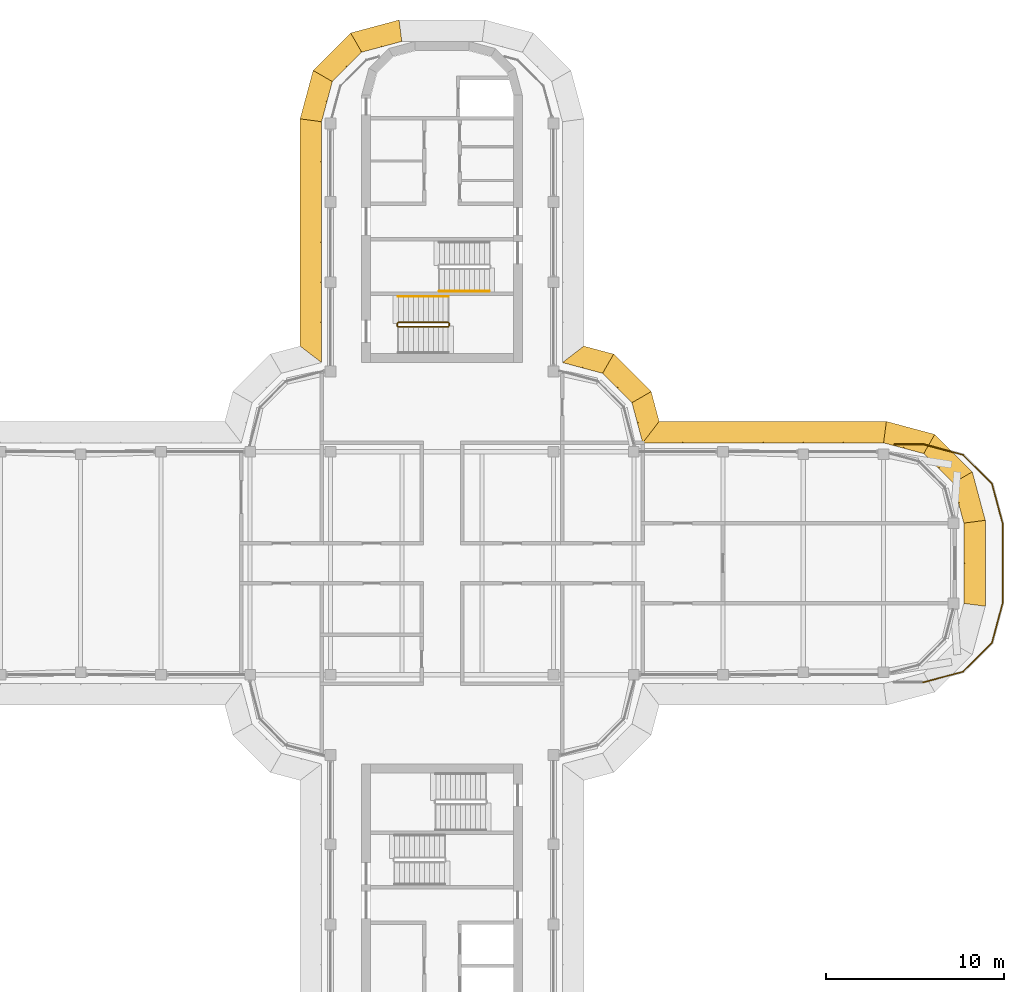
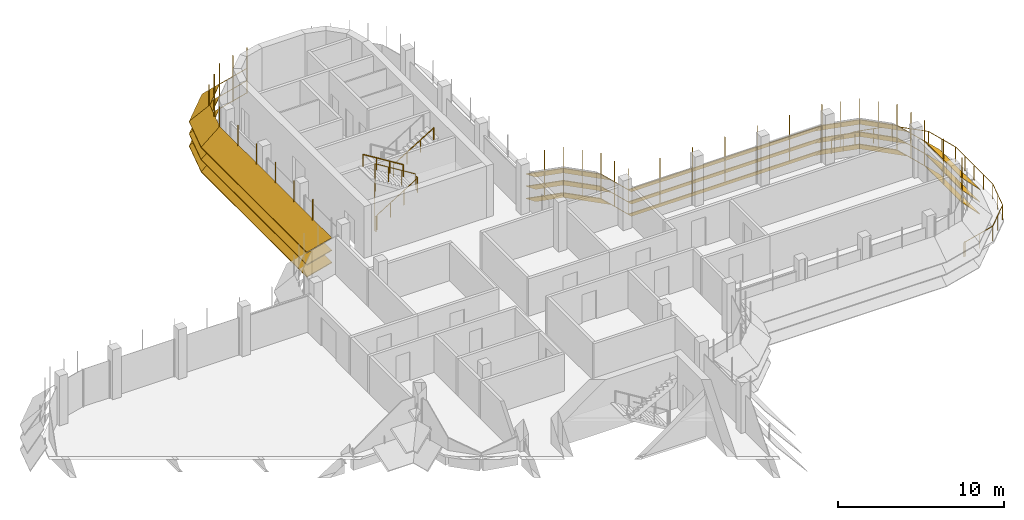
# One storey, part 19 of 20: 6 shading devices, 4 railings.
"""IFC4 building model written with IfcOpenShell, lengths in metres."""

from ifc_helpers import new_model, si_unit, direction, frame, origin, origin_2d, place, context, subcontext, project, spatial, polyline, circle, outline, extrude, faceted_brep, source, transform, mapped, material, type_object, element, save


model = new_model("IFC4")

# Units and contexts
model_context = context("Model", 3, precision=1e-05, world=origin(), true_north=direction((0.0, 1.0)))
body_context = subcontext(model_context, "Body", "Model", "MODEL_VIEW")
ifc_project = project(units=[si_unit("LENGTHUNIT", "METRE"), si_unit("AREAUNIT", "SQUARE_METRE"), si_unit("VOLUMEUNIT", "CUBIC_METRE"), si_unit("PLANEANGLEUNIT", "RADIAN"), si_unit("MASSUNIT", "GRAM", prefix="KILO")], contexts=[model_context])

# Site, building, storey
site_placement = place(None, origin())
site = spatial("IfcSite", under=ifc_project, at=site_placement, CompositionType="ELEMENT")
building_placement = place(site_placement, origin())
building = spatial("IfcBuilding", under=site, at=building_placement, Name="Zarbagh Exchange Tower", CompositionType="ELEMENT")
storey_placement = place(building_placement, frame((0.0, 0.0, 249.800048828125)))
storey = spatial("IfcBuildingStorey", under=building, at=storey_placement, Name="L61", CompositionType="ELEMENT", Elevation=249.800048828125)

# Railings
ifc_material_1 = material(Name="Stainless steel", Category="steel")
railing_type_1 = type_object("IfcRailingType", Name="Stair guard 1100 mm", PredefinedType="GUARDRAIL", material=ifc_material_1)
railing_1_placement = place(storey_placement, frame((0.35009765625, 13.5, 2.07275390625)))
element("IfcRailing", 1, at=railing_1_placement, inside=storey, type_object=railing_type_1, Name="ST2 stair guard 1", PredefinedType="GUARDRAIL", context=body_context, shape_type="SweptSolid", body=[
    extrude(circle(Radius=0.02392578125, at=origin_2d()), frame((0.0, 0.0, 1.076171875), z_axis=(-0.851089632645, 0.0, 0.525020415988), x_axis=(0.0, -1.0, 0.0)), (0.0, 0.0, 1.0), 3.2900390625),
    extrude(circle(Radius=0.02392578125, at=origin_2d()), frame((-2.800048828125, 0.0, 2.80322265625), z_axis=(-0.013168290981, -0.013168290981, -0.999826581076), x_axis=(0.707106781187, -0.707106781187, 0.0)), (0.0, 0.0, 1.0), 3.80078125),
    extrude(circle(Radius=0.02392578125, at=origin_2d()), frame((-2.85009765625, -0.050048828125, -0.99658203125), z_axis=(0.0, -1.0, 0.0), x_axis=(1.0, 0.0, 0.0)), (0.0, 0.0, 1.0), 0.14990234375),
    extrude(circle(Radius=0.02392578125, at=origin_2d()), frame((-2.85009765625, -0.199951171875, -0.99658203125), z_axis=(0.268277960024, -0.268277960024, 0.925231793839), x_axis=(0.707106781187, 0.707106781187, 0.0)), (0.0, 0.0, 1.0), 0.1865234375),
    extrude(circle(Radius=0.02392578125, at=origin_2d()), frame((-2.800048828125, -0.25, -0.82421875), z_axis=(0.851089632645, 0.0, 0.525020415988), x_axis=(0.0, 1.0, 0.0)), (0.0, 0.0, 1.0), 3.2900390625),
    extrude(circle(Radius=0.02392578125, at=origin_2d()), frame((0.0, -0.25, 0.9033203125), z_axis=(0.705375805398, 0.708833529934, 0.0), x_axis=(-0.708833529934, 0.705375805398, 0.0)), (0.0, 0.0, 1.0), 0.070556640625),
    extrude(circle(Radius=0.02392578125, at=origin_2d()), frame((0.0498046875, -0.199951171875, 0.9033203125), z_axis=(0.0, 1.0, 0.0), x_axis=(-1.0, 0.0, 0.0)), (0.0, 0.0, 1.0), 0.14990234375),
    extrude(circle(Radius=0.02099609375, at=origin_2d()), origin(), (0.0, 0.0, 1.0), 1.052001953125),
    extrude(circle(Radius=0.02099609375, at=origin_2d()), frame((-0.933349609375, 0.0, 0.57568359375)), (0.0, 0.0, 1.0), 1.052001953125),
    extrude(circle(Radius=0.02099609375, at=origin_2d()), frame((-1.86669921875, 0.0, 1.151611328125)), (0.0, 0.0, 1.0), 1.052001953125),
    extrude(circle(Radius=0.02099609375, at=origin_2d()), frame((-2.800048828125, 0.0, 1.727294921875)), (0.0, 0.0, 1.0), 1.052001953125),
    extrude(circle(Radius=0.02099609375, at=origin_2d()), frame((-2.8125, -0.012451171875, 0.77734375)), (0.0, 0.0, 1.0), 1.052001953125),
    extrude(circle(Radius=0.02099609375, at=origin_2d()), frame((-2.8251953125, -0.02490234375, -0.1728515625)), (0.0, 0.0, 1.0), 1.052001953125),
    extrude(circle(Radius=0.02099609375, at=origin_2d()), frame((-2.837646484375, -0.03759765625, -1.122802734375)), (0.0, 0.0, 1.0), 1.052001953125),
    extrude(circle(Radius=0.02099609375, at=origin_2d()), frame((-2.85009765625, -0.050048828125, -2.07275390625)), (0.0, 0.0, 1.0), 1.052001953125),
    extrude(circle(Radius=0.02099609375, at=origin_2d()), frame((-2.85009765625, -0.199951171875, -2.07275390625)), (0.0, 0.0, 1.0), 1.052001953125),
    extrude(circle(Radius=0.02099609375, at=origin_2d()), frame((-2.800048828125, -0.25, -1.900146484375)), (0.0, 0.0, 1.0), 1.052001953125),
    extrude(circle(Radius=0.02099609375, at=origin_2d()), frame((-1.86669921875, -0.25, -1.324462890625)), (0.0, 0.0, 1.0), 1.052001953125),
    extrude(circle(Radius=0.02099609375, at=origin_2d()), frame((-0.933349609375, -0.25, -0.74853515625)), (0.0, 0.0, 1.0), 1.052001953125),
    extrude(circle(Radius=0.02099609375, at=origin_2d()), frame((0.0, -0.25, -0.1728515625)), (0.0, 0.0, 1.0), 1.052001953125),
    extrude(circle(Radius=0.02099609375, at=origin_2d()), frame((0.0498046875, -0.199951171875, -0.1728515625)), (0.0, 0.0, 1.0), 1.052001953125),
    extrude(circle(Radius=0.02099609375, at=origin_2d()), frame((0.0498046875, -0.050048828125, -0.1728515625)), (0.0, 0.0, 1.0), 1.052001953125),
])
railing_type_2 = type_object("IfcRailingType", Name="Stair handrail 900 mm", PredefinedType="HANDRAIL", material=ifc_material_1)
railing_2_placement = place(storey_placement, frame((-0.14990234375, 15.25, 2.07275390625)))
element("IfcRailing", 2, at=railing_2_placement, inside=storey, type_object=railing_type_2, Name="ST1 stair handrail 2", PredefinedType="HANDRAIL", context=body_context, shape_type="SweptSolid", body=[
    extrude(circle(Radius=0.02392578125, at=origin_2d()), frame((0.0, 0.0, 0.8759765625), z_axis=(0.851069175582, 0.0, 0.525053576669), x_axis=(0.0, 1.0, 0.0)), (0.0, 0.0, 1.0), 3.289794921875),
    extrude(circle(Radius=0.02099609375, at=origin_2d()), origin(), (0.0, 0.0, 1.0), 0.851806640625),
    extrude(circle(Radius=0.02099609375, at=origin_2d()), frame((0.933349609375, 0.0, 0.57568359375)), (0.0, 0.0, 1.0), 0.851806640625),
    extrude(circle(Radius=0.02099609375, at=origin_2d()), frame((1.866455078125, 0.0, 1.151611328125)), (0.0, 0.0, 1.0), 0.851806640625),
    extrude(circle(Radius=0.02099609375, at=origin_2d()), frame((2.7998046875, 0.0, 1.727294921875)), (0.0, 0.0, 1.0), 0.851806640625),
])
railing_3_placement = place(storey_placement, frame((0.35009765625, 14.949951171875, 2.07275390625)))
element("IfcRailing", 3, at=railing_3_placement, inside=storey, type_object=railing_type_2, Name="ST2 stair handrail 2", PredefinedType="HANDRAIL", context=body_context, shape_type="SweptSolid", body=[
    extrude(circle(Radius=0.02392578125, at=origin_2d()), frame((0.0, 0.0, 0.8759765625), z_axis=(-0.851089632645, 0.0, 0.525020415988), x_axis=(0.0, -1.0, 0.0)), (0.0, 0.0, 1.0), 3.2900390625),
    extrude(circle(Radius=0.02099609375, at=origin_2d()), origin(), (0.0, 0.0, 1.0), 0.851806640625),
    extrude(circle(Radius=0.02099609375, at=origin_2d()), frame((-0.933349609375, 0.0, 0.57568359375)), (0.0, 0.0, 1.0), 0.851806640625),
    extrude(circle(Radius=0.02099609375, at=origin_2d()), frame((-1.86669921875, 0.0, 1.151611328125)), (0.0, 0.0, 1.0), 0.851806640625),
    extrude(circle(Radius=0.02099609375, at=origin_2d()), frame((-2.800048828125, 0.0, 1.727294921875)), (0.0, 0.0, 1.0), 0.851806640625),
])
ifc_material_2 = material(Name="Stainless steel and laminated glass", Category="steel")
railing_type_3 = type_object("IfcRailingType", Name="Terrace guard, glass balustrade 1.1 m", PredefinedType="GUARDRAIL", material=ifc_material_2)
railing_4_placement = place(storey_placement, frame((25.357666015625, 6.669921875, 0.0)))
element("IfcRailing", 4, at=railing_4_placement, inside=storey, type_object=railing_type_3, Name="TG01 terrace guard", PredefinedType="GUARDRAIL", context=body_context, shape_type="SweptSolid", body=[
    extrude(circle(Radius=0.02490234375, at=origin_2d()), frame((0.0, 0.0, 1.0751953125), z_axis=(1.0, 0.0, 0.0), x_axis=(0.0, 1.0, 0.0)), (0.0, 0.0, 1.0), 1.6318359375),
    extrude(circle(Radius=0.02490234375, at=origin_2d()), frame((1.6318359375, 0.0, 1.0751953125), z_axis=(0.965936192935, -0.258780353152, 0.0), x_axis=(0.258780353152, 0.965936192935, 0.0)), (0.0, 0.0, 1.0), 2.29736328125),
    extrude(circle(Radius=0.02490234375, at=origin_2d()), frame((3.850830078125, -0.594482421875, 1.0751953125), z_axis=(0.707106781187, -0.707106781187, 0.0), x_axis=(0.707106781187, 0.707106781187, 0.0)), (0.0, 0.0, 1.0), 2.28662109375),
    extrude(circle(Radius=0.02490234375, at=origin_2d()), frame((5.4677734375, -2.21142578125, 1.0751953125), z_axis=(0.258780353152, -0.965936192935, 0.0), x_axis=(0.965936192935, 0.258780353152, 0.0)), (0.0, 0.0, 1.0), 2.29736328125),
    extrude(circle(Radius=0.02490234375, at=origin_2d()), frame((6.062255859375, -4.430419921875, 1.0751953125), z_axis=(0.0, -1.0, 0.0), x_axis=(1.0, 0.0, 0.0)), (0.0, 0.0, 1.0), 4.47900390625),
    extrude(circle(Radius=0.02490234375, at=origin_2d()), frame((6.062255859375, -8.909423828125, 1.0751953125), z_axis=(-0.258780353152, -0.965936192935, 0.0), x_axis=(0.965936192935, -0.258780353152, 0.0)), (0.0, 0.0, 1.0), 2.29736328125),
    extrude(circle(Radius=0.02490234375, at=origin_2d()), frame((5.4677734375, -11.12841796875, 1.0751953125), z_axis=(-0.707106781187, -0.707106781187, 0.0), x_axis=(0.707106781187, -0.707106781187, 0.0)), (0.0, 0.0, 1.0), 2.28662109375),
    extrude(circle(Radius=0.02490234375, at=origin_2d()), frame((3.850830078125, -12.745361328125, 1.0751953125), z_axis=(-0.965936192935, -0.258780353152, 0.0), x_axis=(0.258780353152, -0.965936192935, 0.0)), (0.0, 0.0, 1.0), 2.29736328125),
    extrude(circle(Radius=0.02490234375, at=origin_2d()), frame((1.6318359375, -13.33984375, 1.0751953125), z_axis=(-1.0, 0.0, 0.0), x_axis=(0.0, -1.0, 0.0)), (0.0, 0.0, 1.0), 0.126708984375),
    extrude(circle(Radius=0.02490234375, at=origin_2d()), origin(), (0.0, 0.0, 1.0), 1.050048828125),
    extrude(circle(Radius=0.02490234375, at=origin_2d()), frame((0.81591796875, 0.0, 0.0)), (0.0, 0.0, 1.0), 1.050048828125),
    extrude(circle(Radius=0.02490234375, at=origin_2d()), frame((1.6318359375, 0.0, 0.0)), (0.0, 0.0, 1.0), 1.050048828125),
    extrude(circle(Radius=0.02490234375, at=origin_2d()), frame((2.7412109375, -0.29736328125, 0.0)), (0.0, 0.0, 1.0), 1.050048828125),
    extrude(circle(Radius=0.02490234375, at=origin_2d()), frame((3.850830078125, -0.594482421875, 0.0)), (0.0, 0.0, 1.0), 1.050048828125),
    extrude(circle(Radius=0.02490234375, at=origin_2d()), frame((4.6591796875, -1.40283203125, 0.0)), (0.0, 0.0, 1.0), 1.050048828125),
    extrude(circle(Radius=0.02490234375, at=origin_2d()), frame((5.4677734375, -2.21142578125, 0.0)), (0.0, 0.0, 1.0), 1.050048828125),
    extrude(circle(Radius=0.02490234375, at=origin_2d()), frame((5.76513671875, -3.32080078125, 0.0)), (0.0, 0.0, 1.0), 1.050048828125),
    extrude(circle(Radius=0.02490234375, at=origin_2d()), frame((6.062255859375, -4.430419921875, 0.0)), (0.0, 0.0, 1.0), 1.050048828125),
    extrude(circle(Radius=0.02490234375, at=origin_2d()), frame((6.062255859375, -5.55029296875, 0.0)), (0.0, 0.0, 1.0), 1.050048828125),
    extrude(circle(Radius=0.02490234375, at=origin_2d()), frame((6.062255859375, -6.669921875, 0.0)), (0.0, 0.0, 1.0), 1.050048828125),
    extrude(circle(Radius=0.02490234375, at=origin_2d()), frame((6.062255859375, -7.78955078125, 0.0)), (0.0, 0.0, 1.0), 1.050048828125),
    extrude(circle(Radius=0.02490234375, at=origin_2d()), frame((6.062255859375, -8.909423828125, 0.0)), (0.0, 0.0, 1.0), 1.050048828125),
    extrude(circle(Radius=0.02490234375, at=origin_2d()), frame((5.76513671875, -10.01904296875, 0.0)), (0.0, 0.0, 1.0), 1.050048828125),
    extrude(circle(Radius=0.02490234375, at=origin_2d()), frame((5.4677734375, -11.12841796875, 0.0)), (0.0, 0.0, 1.0), 1.050048828125),
    extrude(circle(Radius=0.02490234375, at=origin_2d()), frame((4.6591796875, -11.93701171875, 0.0)), (0.0, 0.0, 1.0), 1.050048828125),
    extrude(circle(Radius=0.02490234375, at=origin_2d()), frame((3.850830078125, -12.745361328125, 0.0)), (0.0, 0.0, 1.0), 1.050048828125),
    extrude(circle(Radius=0.02490234375, at=origin_2d()), frame((2.7412109375, -13.04248046875, 0.0)), (0.0, 0.0, 1.0), 1.050048828125),
    extrude(circle(Radius=0.02490234375, at=origin_2d()), frame((1.6318359375, -13.33984375, 0.0)), (0.0, 0.0, 1.0), 1.050048828125),
    extrude(circle(Radius=0.02490234375, at=origin_2d()), frame((1.505126953125, -13.33984375, 0.0)), (0.0, 0.0, 1.0), 1.050048828125),
])

# Shading devices
ifc_material_3 = material(Name="Anodised aluminium blades and brackets", Category="aluminium")
shading_device_type = type_object("IfcShadingDeviceType", Name="SUNSHADE louvre band, 45 degree blades", PredefinedType="JALOUSIE", material=ifc_material_3)
shared_shape_1 = source(origin(), body_context, "Body", "Brep", [
    faceted_brep([(0.0, 0.0, 0.0), (0.0, 0.0, -0.056640625), (-0.157958984375, -1.199951171875, -1.256591796875), (-0.157958984375, -1.199951171875, -1.199951171875), (2.65087890625, -1.199951171875, -1.199951171875), (2.65087890625, -1.199951171875, -1.256591796875), (2.329345703125, 0.0, -0.056640625), (2.329345703125, 0.0, 0.0)], [[[0, 1, 2, 3]], [[4, 5, 6, 7]], [[0, 7, 6, 1]], [[1, 6, 5, 2]], [[2, 5, 4, 3]], [[3, 4, 7, 0]]]),
])
shared_shape_2 = source(origin(), body_context, "Body", "Brep", [
    faceted_brep([(0.0, 0.0, 0.0), (0.0, 0.0, -0.056640625), (-0.321533203125, -1.199951171875, -1.256591796875), (-0.321533203125, -1.199951171875, -1.199951171875), (2.65087890625, -1.199951171875, -1.199951171875), (2.65087890625, -1.199951171875, -1.256591796875), (2.329345703125, 0.0, -0.056640625), (2.329345703125, 0.0, 0.0)], [[[0, 1, 2, 3]], [[4, 5, 6, 7]], [[0, 7, 6, 1]], [[1, 6, 5, 2]], [[2, 5, 4, 3]], [[3, 4, 7, 0]]]),
])
shared_shape_3 = source(origin(), body_context, "Body", "Brep", [
    faceted_brep([(0.0, 0.0, 0.0), (0.0, 0.0, -0.056640625), (-0.321533203125, -1.199951171875, -1.256591796875), (-0.321533203125, -1.199951171875, -1.199951171875), (2.4873046875, -1.199951171875, -1.199951171875), (2.4873046875, -1.199951171875, -1.256591796875), (2.329345703125, 0.0, -0.056640625), (2.329345703125, 0.0, 0.0)], [[[0, 1, 2, 3]], [[4, 5, 6, 7]], [[0, 7, 6, 1]], [[1, 6, 5, 2]], [[2, 5, 4, 3]], [[3, 4, 7, 0]]]),
])
shared_shape_4 = source(origin(), body_context, "Body", "SweptSolid", [
    extrude(outline(polyline([(0.0, -0.012451171875), (0.06005859375, -0.012451171875), (0.06005859375, 0.012451171875), (0.0, 0.012451171875), (0.0, -0.012451171875)])), origin(), (0.0, 0.0, 1.0), 3.366455078125),
])
placement = place(storey_placement, origin())
element("IfcShadingDevice", 5, at=placement, inside=storey, type_object=shading_device_type, Name="SS53 sunshade band", PredefinedType="JALOUSIE", context=body_context, shape_type="MappedRepresentation", body=[
    mapped(shared_shape_1, transform((29.25, 2.25, 2.300048828125), x_axis=(-0.258824779902, 0.965924289636, 0.0), y_axis=(-0.965924289636, -0.258824779902, 0.0), z_axis=(0.0, 0.0, 1.0))),
    mapped(shared_shape_1, transform((29.25, 2.25, 1.39990234375), x_axis=(-0.258824779902, 0.965924289636, 0.0), y_axis=(-0.965924289636, -0.258824779902, 0.0), z_axis=(0.0, 0.0, 1.0))),
    mapped(shared_shape_1, transform((29.25, 2.25, 0.5), x_axis=(-0.258824779902, 0.965924289636, 0.0), y_axis=(-0.965924289636, -0.258824779902, 0.0), z_axis=(0.0, 0.0, 1.0))),
    mapped(shared_shape_2, transform((28.647216796875, 4.5, 2.300048828125), x_axis=(-0.707106781187, 0.707106781187, 0.0), y_axis=(-0.707106781187, -0.707106781187, 0.0), z_axis=(0.0, 0.0, 1.0))),
    mapped(shared_shape_2, transform((28.647216796875, 4.5, 1.39990234375), x_axis=(-0.707106781187, 0.707106781187, 0.0), y_axis=(-0.707106781187, -0.707106781187, 0.0), z_axis=(0.0, 0.0, 1.0))),
    mapped(shared_shape_2, transform((28.647216796875, 4.5, 0.5), x_axis=(-0.707106781187, 0.707106781187, 0.0), y_axis=(-0.707106781187, -0.707106781187, 0.0), z_axis=(0.0, 0.0, 1.0))),
    mapped(shared_shape_3, transform((27.0, 6.147216796875, 2.300048828125), x_axis=(-0.965924289636, 0.258824779902, 0.0), y_axis=(-0.258824779902, -0.965924289636, 0.0), z_axis=(0.0, 0.0, 1.0))),
    mapped(shared_shape_3, transform((27.0, 6.147216796875, 1.39990234375), x_axis=(-0.965924289636, 0.258824779902, 0.0), y_axis=(-0.258824779902, -0.965924289636, 0.0), z_axis=(0.0, 0.0, 1.0))),
    mapped(shared_shape_3, transform((27.0, 6.147216796875, 0.5), x_axis=(-0.965924289636, 0.258824779902, 0.0), y_axis=(-0.258824779902, -0.965924289636, 0.0), z_axis=(0.0, 0.0, 1.0))),
    mapped(shared_shape_4, transform((29.25, 2.25, 0.413330078125), x_axis=(0.991444457092, 0.130529263012, 0.0), y_axis=(-0.130529263012, 0.991444457092, 0.0), z_axis=(0.0, 0.0, 1.0))),
    mapped(shared_shape_4, transform((28.948486328125, 3.375, 0.413330078125), x_axis=(0.96592421511, 0.258825058029, 0.0), y_axis=(-0.258825058029, 0.96592421511, 0.0), z_axis=(0.0, 0.0, 1.0))),
    mapped(shared_shape_4, transform((28.647216796875, 4.5, 0.413330078125), x_axis=(0.866023812018, 0.50000275701, 0.0), y_axis=(-0.50000275701, 0.866023812018, 0.0), z_axis=(0.0, 0.0, 1.0))),
    mapped(shared_shape_4, transform((27.823486328125, 5.323486328125, 0.413330078125), x_axis=(0.707106781187, 0.707106781187, 0.0), y_axis=(-0.707106781187, 0.707106781187, 0.0), z_axis=(0.0, 0.0, 1.0))),
    mapped(shared_shape_4, transform((27.0, 6.147216796875, 0.413330078125), x_axis=(0.50000275701, 0.866023812018, 0.0), y_axis=(-0.866023812018, 0.50000275701, 0.0), z_axis=(0.0, 0.0, 1.0))),
    mapped(shared_shape_4, transform((25.875, 6.448486328125, 0.413330078125), x_axis=(0.258825058029, 0.96592421511, 0.0), y_axis=(-0.96592421511, 0.258825058029, 0.0), z_axis=(0.0, 0.0, 1.0))),
])
element("IfcShadingDevice", 6, at=placement, inside=storey, type_object=shading_device_type, Name="SS48 sunshade band", PredefinedType="JALOUSIE", context=body_context, shape_type="MappedRepresentation", body=[
    mapped(shared_shape_1, transform((-2.25, 29.25, 2.300048828125), x_axis=(-0.965924289636, -0.258824779902, 0.0), y_axis=(0.258824779902, -0.965924289636, 0.0), z_axis=(0.0, 0.0, 1.0))),
    mapped(shared_shape_1, transform((-2.25, 29.25, 1.39990234375), x_axis=(-0.965924289636, -0.258824779902, 0.0), y_axis=(0.258824779902, -0.965924289636, 0.0), z_axis=(0.0, 0.0, 1.0))),
    mapped(shared_shape_1, transform((-2.25, 29.25, 0.5), x_axis=(-0.965924289636, -0.258824779902, 0.0), y_axis=(0.258824779902, -0.965924289636, 0.0), z_axis=(0.0, 0.0, 1.0))),
    mapped(shared_shape_2, transform((-4.5, 28.647216796875, 2.300048828125), x_axis=(-0.707106781187, -0.707106781187, 0.0), y_axis=(0.707106781187, -0.707106781187, 0.0), z_axis=(0.0, 0.0, 1.0))),
    mapped(shared_shape_2, transform((-4.5, 28.647216796875, 1.39990234375), x_axis=(-0.707106781187, -0.707106781187, 0.0), y_axis=(0.707106781187, -0.707106781187, 0.0), z_axis=(0.0, 0.0, 1.0))),
    mapped(shared_shape_2, transform((-4.5, 28.647216796875, 0.5), x_axis=(-0.707106781187, -0.707106781187, 0.0), y_axis=(0.707106781187, -0.707106781187, 0.0), z_axis=(0.0, 0.0, 1.0))),
    mapped(shared_shape_3, transform((-6.147216796875, 27.0, 2.300048828125), x_axis=(-0.258824779902, -0.965924289636, 0.0), y_axis=(0.965924289636, -0.258824779902, 0.0), z_axis=(0.0, 0.0, 1.0))),
    mapped(shared_shape_3, transform((-6.147216796875, 27.0, 1.39990234375), x_axis=(-0.258824779902, -0.965924289636, 0.0), y_axis=(0.965924289636, -0.258824779902, 0.0), z_axis=(0.0, 0.0, 1.0))),
    mapped(shared_shape_3, transform((-6.147216796875, 27.0, 0.5), x_axis=(-0.258824779902, -0.965924289636, 0.0), y_axis=(0.965924289636, -0.258824779902, 0.0), z_axis=(0.0, 0.0, 1.0))),
    mapped(shared_shape_4, transform((-2.25, 29.25, 0.413330078125), x_axis=(-0.130529263012, 0.991444457092, 0.0), y_axis=(-0.991444457092, -0.130529263012, 0.0), z_axis=(0.0, 0.0, 1.0))),
    mapped(shared_shape_4, transform((-3.375, 28.948486328125, 0.413330078125), x_axis=(-0.258825058029, 0.96592421511, 0.0), y_axis=(-0.96592421511, -0.258825058029, 0.0), z_axis=(0.0, 0.0, 1.0))),
    mapped(shared_shape_4, transform((-4.5, 28.647216796875, 0.413330078125), x_axis=(-0.50000275701, 0.866023812018, 0.0), y_axis=(-0.866023812018, -0.50000275701, 0.0), z_axis=(0.0, 0.0, 1.0))),
    mapped(shared_shape_4, transform((-5.323486328125, 27.823486328125, 0.413330078125), x_axis=(-0.707106781187, 0.707106781187, 0.0), y_axis=(-0.707106781187, -0.707106781187, 0.0), z_axis=(0.0, 0.0, 1.0))),
    mapped(shared_shape_4, transform((-6.147216796875, 27.0, 0.413330078125), x_axis=(-0.866023812018, 0.50000275701, 0.0), y_axis=(-0.50000275701, -0.866023812018, 0.0), z_axis=(0.0, 0.0, 1.0))),
    mapped(shared_shape_4, transform((-6.448486328125, 25.875, 0.413330078125), x_axis=(-0.96592421511, 0.258825058029, 0.0), y_axis=(-0.258825058029, -0.96592421511, 0.0), z_axis=(0.0, 0.0, 1.0))),
])
shared_shape_5 = source(origin(), body_context, "Body", "Brep", [
    faceted_brep([(0.0, 0.0, 0.0), (0.0, 0.0, -0.056640625), (0.9208984375, -1.199951171875, -1.256591796875), (0.9208984375, -1.199951171875, -1.199951171875), (2.65087890625, -1.199951171875, -1.199951171875), (2.65087890625, -1.199951171875, -1.256591796875), (2.329345703125, 0.0, -0.056640625), (2.329345703125, 0.0, 0.0)], [[[0, 1, 2, 3]], [[4, 5, 6, 7]], [[0, 7, 6, 1]], [[1, 6, 5, 2]], [[2, 5, 4, 3]], [[3, 4, 7, 0]]]),
])
shared_shape_6 = source(origin(), body_context, "Body", "Brep", [
    faceted_brep([(0.0, 0.0, 0.0), (0.0, 0.0, -0.056640625), (-0.321533203125, -1.199951171875, -1.256591796875), (-0.321533203125, -1.199951171875, -1.199951171875), (1.40869140625, -1.199951171875, -1.199951171875), (1.40869140625, -1.199951171875, -1.256591796875), (2.329345703125, 0.0, -0.056640625), (2.329345703125, 0.0, 0.0)], [[[0, 1, 2, 3]], [[4, 5, 6, 7]], [[0, 7, 6, 1]], [[1, 6, 5, 2]], [[2, 5, 4, 3]], [[3, 4, 7, 0]]]),
])
element("IfcShadingDevice", 7, at=placement, inside=storey, type_object=shading_device_type, Name="SS09 sunshade band", PredefinedType="JALOUSIE", context=body_context, shape_type="MappedRepresentation", body=[
    mapped(shared_shape_5, transform((11.25, 6.75, 2.300048828125), x_axis=(-0.258824779902, 0.965924289636, 0.0), y_axis=(-0.965924289636, -0.258824779902, 0.0), z_axis=(0.0, 0.0, 1.0))),
    mapped(shared_shape_5, transform((11.25, 6.75, 1.39990234375), x_axis=(-0.258824779902, 0.965924289636, 0.0), y_axis=(-0.965924289636, -0.258824779902, 0.0), z_axis=(0.0, 0.0, 1.0))),
    mapped(shared_shape_5, transform((11.25, 6.75, 0.5), x_axis=(-0.258824779902, 0.965924289636, 0.0), y_axis=(-0.965924289636, -0.258824779902, 0.0), z_axis=(0.0, 0.0, 1.0))),
    mapped(shared_shape_2, transform((10.647216796875, 9.0, 2.300048828125), x_axis=(-0.707106781187, 0.707106781187, 0.0), y_axis=(-0.707106781187, -0.707106781187, 0.0), z_axis=(0.0, 0.0, 1.0))),
    mapped(shared_shape_2, transform((10.647216796875, 9.0, 1.39990234375), x_axis=(-0.707106781187, 0.707106781187, 0.0), y_axis=(-0.707106781187, -0.707106781187, 0.0), z_axis=(0.0, 0.0, 1.0))),
    mapped(shared_shape_2, transform((10.647216796875, 9.0, 0.5), x_axis=(-0.707106781187, 0.707106781187, 0.0), y_axis=(-0.707106781187, -0.707106781187, 0.0), z_axis=(0.0, 0.0, 1.0))),
    mapped(shared_shape_6, transform((9.0, 10.647216796875, 2.300048828125), x_axis=(-0.965924289636, 0.258824779902, 0.0), y_axis=(-0.258824779902, -0.965924289636, 0.0), z_axis=(0.0, 0.0, 1.0))),
    mapped(shared_shape_6, transform((9.0, 10.647216796875, 1.39990234375), x_axis=(-0.965924289636, 0.258824779902, 0.0), y_axis=(-0.258824779902, -0.965924289636, 0.0), z_axis=(0.0, 0.0, 1.0))),
    mapped(shared_shape_6, transform((9.0, 10.647216796875, 0.5), x_axis=(-0.965924289636, 0.258824779902, 0.0), y_axis=(-0.258824779902, -0.965924289636, 0.0), z_axis=(0.0, 0.0, 1.0))),
    mapped(shared_shape_4, transform((11.25, 6.75, 0.413330078125), x_axis=(0.608758892, 0.793355287, 0.0), y_axis=(-0.793355287, 0.608758892, 0.0), z_axis=(0.0, 0.0, 1.0))),
    mapped(shared_shape_4, transform((10.948486328125, 7.875, 0.413330078125), x_axis=(0.96592421511, 0.258825058029, 0.0), y_axis=(-0.258825058029, 0.96592421511, 0.0), z_axis=(0.0, 0.0, 1.0))),
    mapped(shared_shape_4, transform((10.647216796875, 9.0, 0.413330078125), x_axis=(0.866023812018, 0.50000275701, 0.0), y_axis=(-0.50000275701, 0.866023812018, 0.0), z_axis=(0.0, 0.0, 1.0))),
    mapped(shared_shape_4, transform((9.823486328125, 9.823486328125, 0.413330078125), x_axis=(0.707106781187, 0.707106781187, 0.0), y_axis=(-0.707106781187, 0.707106781187, 0.0), z_axis=(0.0, 0.0, 1.0))),
    mapped(shared_shape_4, transform((9.0, 10.647216796875, 0.413330078125), x_axis=(0.50000275701, 0.866023812018, 0.0), y_axis=(-0.866023812018, 0.50000275701, 0.0), z_axis=(0.0, 0.0, 1.0))),
    mapped(shared_shape_4, transform((7.875, 10.948486328125, 0.413330078125), x_axis=(0.258825058029, 0.96592421511, 0.0), y_axis=(-0.96592421511, 0.258825058029, 0.0), z_axis=(0.0, 0.0, 1.0))),
])
shared_shape_7 = source(origin(), body_context, "Body", "Brep", [
    faceted_brep([(0.0, 0.0, 0.0), (0.0, 0.0, -0.056640625), (-0.157958984375, -1.199951171875, -1.256591796875), (-0.157958984375, -1.199951171875, -1.199951171875), (4.657958984375, -1.199951171875, -1.199951171875), (4.657958984375, -1.199951171875, -1.256591796875), (4.5, 0.0, -0.056640625), (4.5, 0.0, 0.0)], [[[0, 1, 2, 3]], [[4, 5, 6, 7]], [[0, 7, 6, 1]], [[1, 6, 5, 2]], [[2, 5, 4, 3]], [[3, 4, 7, 0]]]),
])
element("IfcShadingDevice", 8, at=placement, inside=storey, type_object=shading_device_type, Name="SS52 sunshade band", PredefinedType="JALOUSIE", context=body_context, shape_type="MappedRepresentation", body=[
    mapped(shared_shape_7, transform((29.25, -2.25, 2.300048828125), x_axis=(0.0, 1.0, 0.0), y_axis=(-1.0, 0.0, 0.0), z_axis=(0.0, 0.0, 1.0))),
    mapped(shared_shape_7, transform((29.25, -2.25, 1.39990234375), x_axis=(0.0, 1.0, 0.0), y_axis=(-1.0, 0.0, 0.0), z_axis=(0.0, 0.0, 1.0))),
    mapped(shared_shape_7, transform((29.25, -2.25, 0.5), x_axis=(0.0, 1.0, 0.0), y_axis=(-1.0, 0.0, 0.0), z_axis=(0.0, 0.0, 1.0))),
    mapped(shared_shape_4, transform((29.25, -2.25, 0.413330078125), x_axis=(0.991444457092, -0.130529263012, 0.0), y_axis=(0.130529263012, 0.991444457092, 0.0), z_axis=(0.0, 0.0, 1.0))),
    mapped(shared_shape_4, transform((29.25, 0.0, 0.413330078125), x_axis=(1.0, 0.0, 0.0), y_axis=(0.0, 1.0, 0.0), z_axis=(0.0, 0.0, 1.0))),
])
shared_shape_8 = source(origin(), body_context, "Body", "Brep", [
    faceted_brep([(0.0, 0.0, 0.0), (0.0, 0.0, -0.056640625), (-0.157958984375, -1.199951171875, -1.256591796875), (-0.157958984375, -1.199951171875, -1.199951171875), (12.5791015625, -1.199951171875, -1.199951171875), (12.5791015625, -1.199951171875, -1.256591796875), (13.5, 0.0, -0.056640625), (13.5, 0.0, 0.0)], [[[0, 1, 2, 3]], [[4, 5, 6, 7]], [[0, 7, 6, 1]], [[1, 6, 5, 2]], [[2, 5, 4, 3]], [[3, 4, 7, 0]]]),
])
element("IfcShadingDevice", 9, at=placement, inside=storey, type_object=shading_device_type, Name="SS54 sunshade band", PredefinedType="JALOUSIE", context=body_context, shape_type="MappedRepresentation", body=[
    mapped(shared_shape_8, transform((24.75, 6.75, 2.300048828125), x_axis=(-1.0, 0.0, 0.0), y_axis=(0.0, -1.0, 0.0), z_axis=(0.0, 0.0, 1.0))),
    mapped(shared_shape_8, transform((24.75, 6.75, 1.39990234375), x_axis=(-1.0, 0.0, 0.0), y_axis=(0.0, -1.0, 0.0), z_axis=(0.0, 0.0, 1.0))),
    mapped(shared_shape_8, transform((24.75, 6.75, 0.5), x_axis=(-1.0, 0.0, 0.0), y_axis=(0.0, -1.0, 0.0), z_axis=(0.0, 0.0, 1.0))),
    mapped(shared_shape_4, transform((24.75, 6.75, 0.413330078125), x_axis=(0.130529263012, 0.991444457092, 0.0), y_axis=(-0.991444457092, 0.130529263012, 0.0), z_axis=(0.0, 0.0, 1.0))),
    mapped(shared_shape_4, transform((22.5, 6.75, 0.413330078125), x_axis=(0.0, 1.0, 0.0), y_axis=(-1.0, 0.0, 0.0), z_axis=(0.0, 0.0, 1.0))),
    mapped(shared_shape_4, transform((20.25, 6.75, 0.413330078125), x_axis=(0.0, 1.0, 0.0), y_axis=(-1.0, 0.0, 0.0), z_axis=(0.0, 0.0, 1.0))),
    mapped(shared_shape_4, transform((18.0, 6.75, 0.413330078125), x_axis=(0.0, 1.0, 0.0), y_axis=(-1.0, 0.0, 0.0), z_axis=(0.0, 0.0, 1.0))),
    mapped(shared_shape_4, transform((15.75, 6.75, 0.413330078125), x_axis=(0.0, 1.0, 0.0), y_axis=(-1.0, 0.0, 0.0), z_axis=(0.0, 0.0, 1.0))),
    mapped(shared_shape_4, transform((13.5, 6.75, 0.413330078125), x_axis=(0.0, 1.0, 0.0), y_axis=(-1.0, 0.0, 0.0), z_axis=(0.0, 0.0, 1.0))),
])
element("IfcShadingDevice", 10, at=placement, inside=storey, type_object=shading_device_type, Name="SS49 sunshade band", PredefinedType="JALOUSIE", context=body_context, shape_type="MappedRepresentation", body=[
    mapped(shared_shape_8, transform((-6.75, 24.75, 2.300048828125), x_axis=(0.0, -1.0, 0.0), y_axis=(1.0, 0.0, 0.0), z_axis=(0.0, 0.0, 1.0))),
    mapped(shared_shape_8, transform((-6.75, 24.75, 1.39990234375), x_axis=(0.0, -1.0, 0.0), y_axis=(1.0, 0.0, 0.0), z_axis=(0.0, 0.0, 1.0))),
    mapped(shared_shape_8, transform((-6.75, 24.75, 0.5), x_axis=(0.0, -1.0, 0.0), y_axis=(1.0, 0.0, 0.0), z_axis=(0.0, 0.0, 1.0))),
    mapped(shared_shape_4, transform((-6.75, 24.75, 0.413330078125), x_axis=(-0.991444457092, 0.130529263012, 0.0), y_axis=(-0.130529263012, -0.991444457092, 0.0), z_axis=(0.0, 0.0, 1.0))),
    mapped(shared_shape_4, transform((-6.75, 22.5, 0.413330078125), x_axis=(-1.0, 0.0, 0.0), y_axis=(0.0, -1.0, 0.0), z_axis=(0.0, 0.0, 1.0))),
    mapped(shared_shape_4, transform((-6.75, 20.25, 0.413330078125), x_axis=(-1.0, 0.0, 0.0), y_axis=(0.0, -1.0, 0.0), z_axis=(0.0, 0.0, 1.0))),
    mapped(shared_shape_4, transform((-6.75, 18.0, 0.413330078125), x_axis=(-1.0, 0.0, 0.0), y_axis=(0.0, -1.0, 0.0), z_axis=(0.0, 0.0, 1.0))),
    mapped(shared_shape_4, transform((-6.75, 15.75, 0.413330078125), x_axis=(-1.0, 0.0, 0.0), y_axis=(0.0, -1.0, 0.0), z_axis=(0.0, 0.0, 1.0))),
    mapped(shared_shape_4, transform((-6.75, 13.5, 0.413330078125), x_axis=(-1.0, 0.0, 0.0), y_axis=(0.0, -1.0, 0.0), z_axis=(0.0, 0.0, 1.0))),
])

save(model, "model.ifc")
